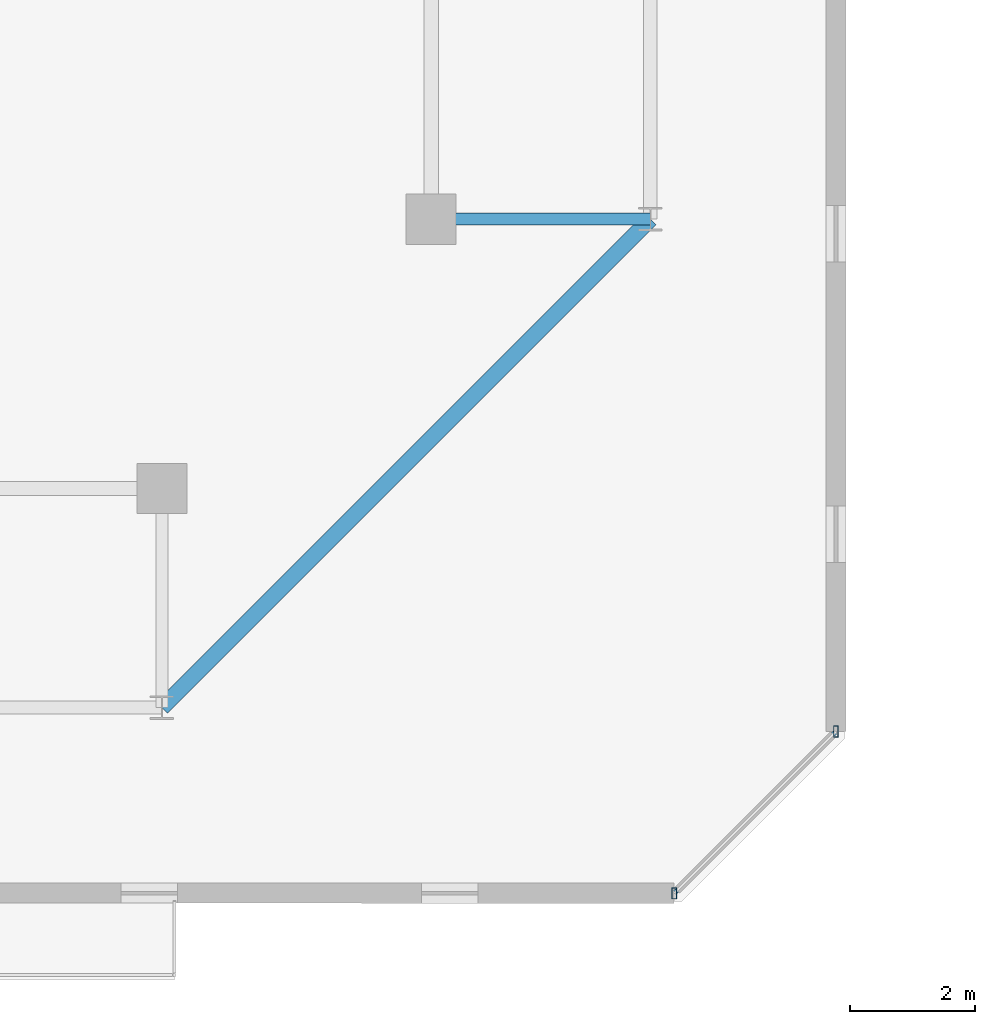
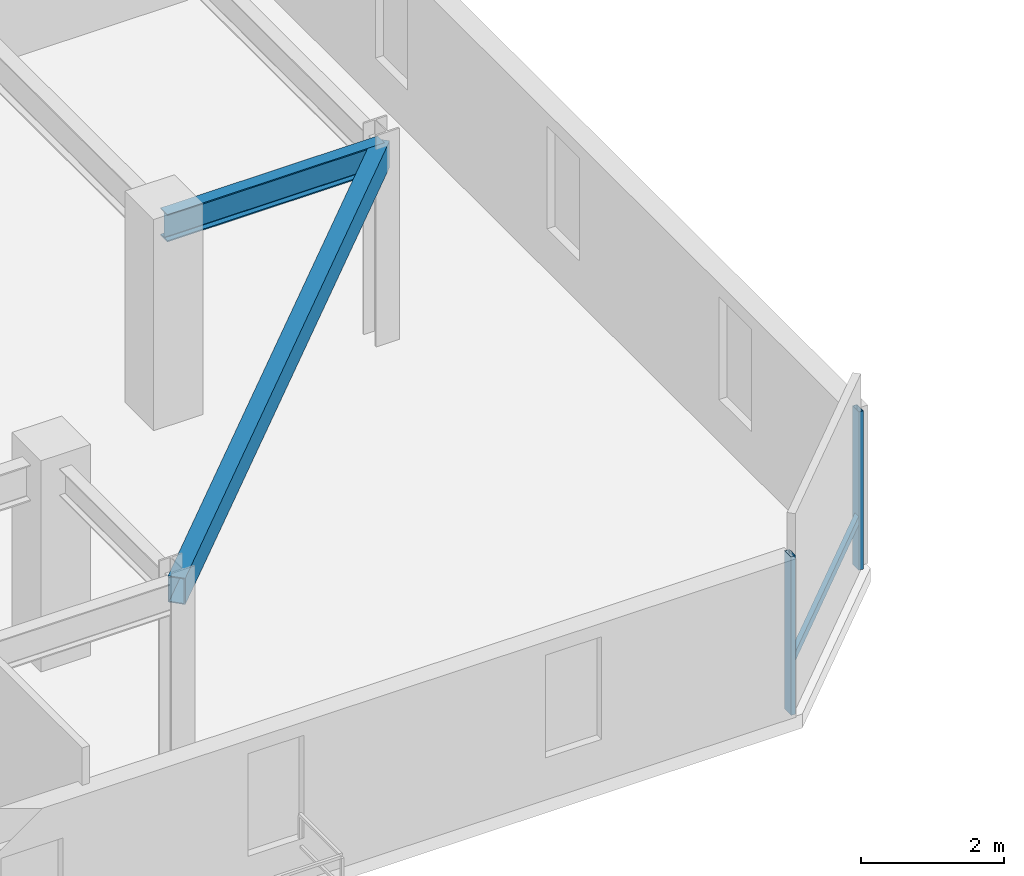
# One storey, part 7 of 35: 3 members, 2 beams, 1 element without a shape of its own.
"""IFC4 building model written with IfcOpenShell, lengths in metres."""

from ifc_helpers import new_model, si_unit, direction, frame, origin, origin_2d, place, context, subcontext, project, spatial, hollow_rectangle, i_section, extrude, material, material_profile, profile_set, type_object, element, aggregate, save


model = new_model("IFC4")

# Units and contexts
model_context = context("Model", 3, precision=1e-05, world=origin(), true_north=direction((0.0, 1.0)))
body_context = subcontext(model_context, "Body", "Model", "MODEL_VIEW")
ifc_project = project(units=[si_unit("LENGTHUNIT", "METRE"), si_unit("AREAUNIT", "SQUARE_METRE"), si_unit("VOLUMEUNIT", "CUBIC_METRE"), si_unit("PLANEANGLEUNIT", "RADIAN"), si_unit("MASSUNIT", "GRAM", prefix="KILO")], contexts=[model_context])

# Site, building, storey
site_placement = place(None, origin())
site = spatial("IfcSite", under=ifc_project, at=site_placement, CompositionType="ELEMENT")
building_placement = place(site_placement, origin())
building = spatial("IfcBuilding", under=site, at=building_placement, Name="Thornwick Lancets Civic Towers", CompositionType="ELEMENT")
storey_placement = place(building_placement, frame((0.0, 0.0, 265.5)))
storey = spatial("IfcBuildingStorey", under=building, at=storey_placement, Name="L71", CompositionType="ELEMENT", Elevation=265.5)

# Beams
ifc_material_1 = material(Name="Steel S355JR", Category="steel")
ifc_material_profile_1 = material_profile(ifc_material_1, i_section(OverallWidth=0.19287109375, OverallDepth=0.46728515625, WebThickness=0.011474609375, FlangeThickness=0.01953125, FilletRadius=0.01025390625, at=origin_2d()), Name="UKB 457x191x98")
ifc_profile_set_1 = profile_set([ifc_material_profile_1], Name="Steel S355JR")
beam_type_1 = type_object("IfcBeamType", Name="BM_JOIST_457_98", PredefinedType="JOIST", material=ifc_profile_set_1)
beam_1_placement = place(storey_placement, frame((42.800048828125, 14.0, 3.12646484375), z_axis=(1.0, 0.0, 0.0), x_axis=(0.0, 1.0, 0.0)))
element("IfcBeam", 1, at=beam_1_placement, inside=storey, type_object=beam_type_1, Name="BM-RAD-L71-A04", PredefinedType="JOIST", context=body_context, shape_type="SweptSolid", body=[
    extrude(i_section(OverallWidth=0.19287109375, OverallDepth=0.46728515625, WebThickness=0.011474609375, FlangeThickness=0.01953125, FilletRadius=0.01025390625, at=origin_2d()), origin(), (0.0, 0.0, 1.0), 3.5),
])
ifc_material_profile_2 = material_profile(ifc_material_1, hollow_rectangle(XDim=0.25, YDim=0.449951171875, WallThickness=0.01611328125, at=origin_2d()), Name="RHS 450x250x16")
ifc_profile_set_2 = profile_set([ifc_material_profile_2], Name="Steel S355JR")
beam_type_2 = type_object("IfcBeamType", Name="BM_RING_RHS450", PredefinedType="BEAM", material=ifc_profile_set_2)
beam_2_placement = place(storey_placement, frame((38.5, 6.199951171875, 3.135009765625), z_axis=(0.707106781187, 0.707106781187, 0.0), x_axis=(-0.707106781187, 0.707106781187, 0.0)))
element("IfcBeam", 2, at=beam_2_placement, inside=storey, type_object=beam_type_2, Name="BM-CHAMF-L71-A-C0", PredefinedType="BEAM", context=body_context, shape_type="SweptSolid", body=[
    extrude(hollow_rectangle(XDim=0.25, YDim=0.449951171875, WallThickness=0.01611328125, at=origin_2d()), origin(), (0.0, 0.0, 1.0), 11.031005859375),
])

# Curtain wall, members
ifc_material_2 = material(Name="High-zone chamfered-corner unitised glass curtain wall", Category="glass")
curtain_wall_type = type_object("IfcCurtainWallType", Name="CW_SYS_05", PredefinedType="NOTDEFINED", material=ifc_material_2)
curtain_wall_placement = place(storey_placement, origin())
curtain_wall = element("IfcCurtainWall", 3, at=curtain_wall_placement, inside=storey, type_object=curtain_wall_type, Name="L71 Curtain Wall CW-L71-A-E1", PredefinedType="NOTDEFINED")
ifc_material_3 = material(Name="Thermally broken bronze aluminium S355", Category="steel")
ifc_material_profile_3 = material_profile(ifc_material_3, hollow_rectangle(XDim=0.074951171875, YDim=0.179931640625, WallThickness=0.006103515625, at=origin_2d()), Name="RHS 180x75x6")
ifc_profile_set_3 = profile_set([ifc_material_profile_3], Name="Thermally broken bronze aluminium S355")
member_type_1 = type_object("IfcMemberType", Name="CW_MUL_180", PredefinedType="MULLION", material=ifc_profile_set_3)
member_1_placement = place(storey_placement, frame((46.681396484375, 3.2353515625, 0.0), z_axis=(0.0, 0.0, 1.0), x_axis=(1.0, 0.0, 0.0)))
member_1 = element("IfcMember", 4, at=member_1_placement, type_object=member_type_1, Name="CW-L71-A-E1 Mullion 0", PredefinedType="MULLION", context=body_context, shape_type="SweptSolid", body=[
    extrude(hollow_rectangle(XDim=0.074951171875, YDim=0.179931640625, WallThickness=0.006103515625, at=origin_2d()), origin(), (0.0, 0.0, 1.0), 2.699951171875),
])
member_2_placement = place(storey_placement, frame((49.2646484375, 5.818603515625, 0.0), z_axis=(0.0, 0.0, 1.0), x_axis=(1.0, 0.0, 0.0)))
member_2 = element("IfcMember", 5, at=member_2_placement, type_object=member_type_1, Name="CW-L71-A-E1 Mullion 1", PredefinedType="MULLION", context=body_context, shape_type="SweptSolid", body=[
    extrude(hollow_rectangle(XDim=0.074951171875, YDim=0.179931640625, WallThickness=0.006103515625, at=origin_2d()), origin(), (0.0, 0.0, 1.0), 2.699951171875),
])
ifc_material_profile_4 = material_profile(ifc_material_3, hollow_rectangle(XDim=0.074951171875, YDim=0.14990234375, WallThickness=0.0048828125, at=origin_2d()), Name="RHS 150x75x5")
ifc_profile_set_4 = profile_set([ifc_material_profile_4], Name="Thermally broken bronze aluminium S355")
member_type_2 = type_object("IfcMemberType", Name="CW_TRN_150", PredefinedType="USERDEFINED", material=ifc_profile_set_4)
member_3_placement = place(storey_placement, frame((46.695556640625, 3.24951171875, 0.85009765625), z_axis=(0.707106781187, 0.707106781187, 0.0), x_axis=(-0.707106781187, 0.707106781187, 0.0)))
member_3 = element("IfcMember", 6, at=member_3_placement, type_object=member_type_2, Name="CW-L71-A-E1 Transom 0", ObjectType="TRANSOM", PredefinedType="USERDEFINED", context=body_context, shape_type="SweptSolid", body=[
    extrude(hollow_rectangle(XDim=0.074951171875, YDim=0.14990234375, WallThickness=0.0048828125, at=origin_2d()), origin(), (0.0, 0.0, 1.0), 3.61328125),
])
aggregate(curtain_wall, [member_1, member_2, member_3])

save(model, "model.ifc")
